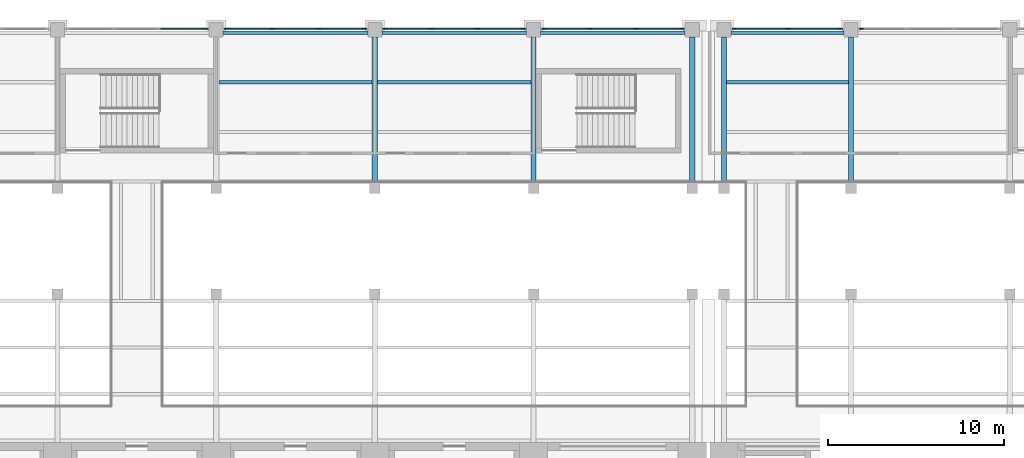
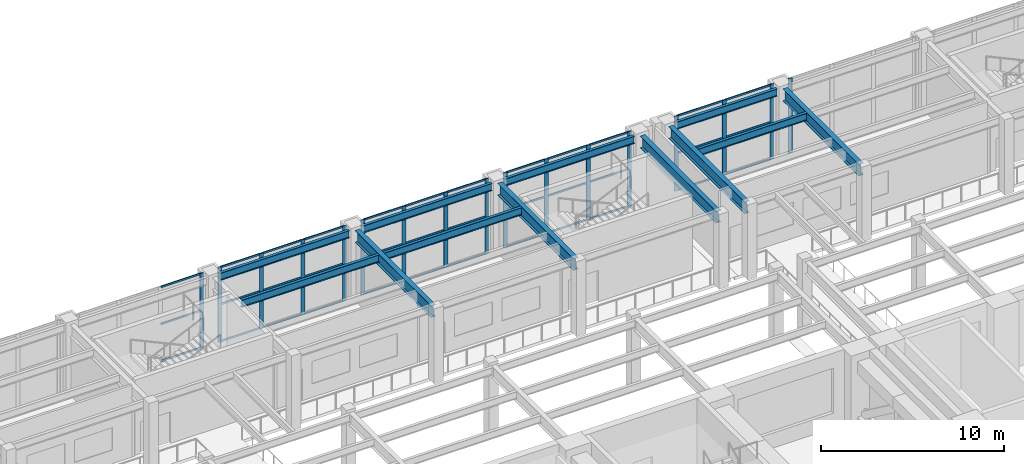
# One storey, part 24 of 76: 53 members, 12 beams, 6 elements without a shape of their own.
"""IFC4 building model written with IfcOpenShell, lengths in metres."""

from ifc_helpers import new_model, si_unit, direction, frame, origin, origin_2d, place, context, subcontext, project, spatial, rectangle, i_section, extrude, material, material_profile, profile_set, type_object, element, aggregate, save


model = new_model("IFC4")

# Units and contexts
model_context = context("Model", 3, precision=1e-05, world=origin(), true_north=direction((0.0, 1.0)))
body_context = subcontext(model_context, "Body", "Model", "MODEL_VIEW")
ifc_project = project(units=[si_unit("LENGTHUNIT", "METRE"), si_unit("AREAUNIT", "SQUARE_METRE"), si_unit("VOLUMEUNIT", "CUBIC_METRE"), si_unit("PLANEANGLEUNIT", "RADIAN"), si_unit("MASSUNIT", "GRAM", prefix="KILO")], contexts=[model_context])

# Site, building, storey
site_placement = place(None, origin())
site = spatial("IfcSite", under=ifc_project, at=site_placement, CompositionType="ELEMENT")
building_placement = place(site_placement, origin())
building = spatial("IfcBuilding", under=site, at=building_placement, Name="Aravalli Gate Trade Fair Centre", CompositionType="ELEMENT")
storey_placement = place(building_placement, frame((0.0, 0.0, 10.0)))
storey = spatial("IfcBuildingStorey", under=building, at=storey_placement, Name="L02", CompositionType="ELEMENT", Elevation=10.0)

# Curtain wall, member
ifc_material_1 = material(Name="Aluminium and glass", Category="aluminium")
curtain_wall_type = type_object("IfcCurtainWallType", Name="Curtain wall 3000 module, tall", PredefinedType="NOTDEFINED", material=ifc_material_1)
curtain_wall_1_placement = place(storey_placement, origin())
curtain_wall_1 = element("IfcCurtainWall", 1, at=curtain_wall_1_placement, inside=storey, type_object=curtain_wall_type, Name="Curtain wall north bay 8 L02", PredefinedType="NOTDEFINED")
ifc_material_2 = material(Name="Aluminium", Category="aluminium")
ifc_material_profile_1 = material_profile(ifc_material_2, rectangle(XDim=0.06005859375, YDim=0.25, at=origin_2d()), Name="Concourse curtain wall mullion 60 x 250")
ifc_profile_set_1 = profile_set([ifc_material_profile_1], Name="Aluminium")
member_type_1 = type_object("IfcMemberType", Name="Concourse curtain wall mullion 60 x 250", PredefinedType="MULLION", material=ifc_profile_set_1)
member_1_placement = place(storey_placement, frame((77.419921875, 133.044921875, 0.0), z_axis=(0.0, 0.0, 1.0), x_axis=(0.0, 1.0, 0.0)))
member_1 = element("IfcMember", 2, at=member_1_placement, type_object=member_type_1, Name="CW3 mullion 4", PredefinedType="MULLION", context=body_context, shape_type="SweptSolid", body=[
    extrude(rectangle(XDim=0.06005859375, YDim=0.25, at=origin_2d()), origin(), (0.0, 0.0, 1.0), 5.0),
])

# Curtain wall, members
curtain_wall_2_placement = place(storey_placement, origin())
curtain_wall_2 = element("IfcCurtainWall", 3, at=curtain_wall_2_placement, inside=storey, type_object=curtain_wall_type, Name="Curtain wall north bay 9 L02", PredefinedType="NOTDEFINED")
member_2_placement = place(storey_placement, frame((78.580078125, 133.044921875, 0.0), z_axis=(0.0, 0.0, 1.0), x_axis=(0.0, 1.0, 0.0)))
member_2 = element("IfcMember", 4, at=member_2_placement, type_object=member_type_1, Name="CW3 mullion 1", PredefinedType="MULLION", context=body_context, shape_type="SweptSolid", body=[
    extrude(rectangle(XDim=0.06005859375, YDim=0.25, at=origin_2d()), origin(), (0.0, 0.0, 1.0), 5.0),
])
member_3_placement = place(storey_placement, frame((81.183349609375, 133.044921875, 0.0), z_axis=(0.0, 0.0, 1.0), x_axis=(0.0, 1.0, 0.0)))
member_3 = element("IfcMember", 5, at=member_3_placement, type_object=member_type_1, Name="CW3 mullion 2", PredefinedType="MULLION", context=body_context, shape_type="SweptSolid", body=[
    extrude(rectangle(XDim=0.06005859375, YDim=0.25, at=origin_2d()), origin(), (0.0, 0.0, 1.0), 5.0),
])
member_4_placement = place(storey_placement, frame((83.816650390625, 133.044921875, 0.0), z_axis=(0.0, 0.0, 1.0), x_axis=(0.0, 1.0, 0.0)))
member_4 = element("IfcMember", 6, at=member_4_placement, type_object=member_type_1, Name="CW3 mullion 3", PredefinedType="MULLION", context=body_context, shape_type="SweptSolid", body=[
    extrude(rectangle(XDim=0.06005859375, YDim=0.25, at=origin_2d()), origin(), (0.0, 0.0, 1.0), 5.0),
])
member_5_placement = place(storey_placement, frame((86.419921875, 133.044921875, 0.0), z_axis=(0.0, 0.0, 1.0), x_axis=(0.0, 1.0, 0.0)))
member_5 = element("IfcMember", 7, at=member_5_placement, type_object=member_type_1, Name="CW3 mullion 4", PredefinedType="MULLION", context=body_context, shape_type="SweptSolid", body=[
    extrude(rectangle(XDim=0.06005859375, YDim=0.25, at=origin_2d()), origin(), (0.0, 0.0, 1.0), 5.0),
])

curtain_wall_3_placement = place(storey_placement, origin())
curtain_wall_3 = element("IfcCurtainWall", 8, at=curtain_wall_3_placement, inside=storey, type_object=curtain_wall_type, Name="Curtain wall north bay 10 L02", PredefinedType="NOTDEFINED")
member_6_placement = place(storey_placement, frame((87.580078125, 133.044921875, 0.0), z_axis=(0.0, 0.0, 1.0), x_axis=(0.0, 1.0, 0.0)))
member_6 = element("IfcMember", 9, at=member_6_placement, type_object=member_type_1, Name="CW3 mullion 1", PredefinedType="MULLION", context=body_context, shape_type="SweptSolid", body=[
    extrude(rectangle(XDim=0.06005859375, YDim=0.25, at=origin_2d()), origin(), (0.0, 0.0, 1.0), 5.0),
])
member_7_placement = place(storey_placement, frame((90.183349609375, 133.044921875, 0.0), z_axis=(0.0, 0.0, 1.0), x_axis=(0.0, 1.0, 0.0)))
member_7 = element("IfcMember", 10, at=member_7_placement, type_object=member_type_1, Name="CW3 mullion 2", PredefinedType="MULLION", context=body_context, shape_type="SweptSolid", body=[
    extrude(rectangle(XDim=0.06005859375, YDim=0.25, at=origin_2d()), origin(), (0.0, 0.0, 1.0), 5.0),
])
member_8_placement = place(storey_placement, frame((92.816650390625, 133.044921875, 0.0), z_axis=(0.0, 0.0, 1.0), x_axis=(0.0, 1.0, 0.0)))
member_8 = element("IfcMember", 11, at=member_8_placement, type_object=member_type_1, Name="CW3 mullion 3", PredefinedType="MULLION", context=body_context, shape_type="SweptSolid", body=[
    extrude(rectangle(XDim=0.06005859375, YDim=0.25, at=origin_2d()), origin(), (0.0, 0.0, 1.0), 5.0),
])
member_9_placement = place(storey_placement, frame((95.419921875, 133.044921875, 0.0), z_axis=(0.0, 0.0, 1.0), x_axis=(0.0, 1.0, 0.0)))
member_9 = element("IfcMember", 12, at=member_9_placement, type_object=member_type_1, Name="CW3 mullion 4", PredefinedType="MULLION", context=body_context, shape_type="SweptSolid", body=[
    extrude(rectangle(XDim=0.06005859375, YDim=0.25, at=origin_2d()), origin(), (0.0, 0.0, 1.0), 5.0),
])

curtain_wall_4_placement = place(storey_placement, origin())
curtain_wall_4 = element("IfcCurtainWall", 13, at=curtain_wall_4_placement, inside=storey, type_object=curtain_wall_type, Name="Curtain wall north bay 11 L02", PredefinedType="NOTDEFINED")
member_10_placement = place(storey_placement, frame((96.580078125, 133.044921875, 0.0), z_axis=(0.0, 0.0, 1.0), x_axis=(0.0, 1.0, 0.0)))
member_10 = element("IfcMember", 14, at=member_10_placement, type_object=member_type_1, Name="CW3 mullion 1", PredefinedType="MULLION", context=body_context, shape_type="SweptSolid", body=[
    extrude(rectangle(XDim=0.06005859375, YDim=0.25, at=origin_2d()), origin(), (0.0, 0.0, 1.0), 5.0),
])
member_11_placement = place(storey_placement, frame((99.183349609375, 133.044921875, 0.0), z_axis=(0.0, 0.0, 1.0), x_axis=(0.0, 1.0, 0.0)))
member_11 = element("IfcMember", 15, at=member_11_placement, type_object=member_type_1, Name="CW3 mullion 2", PredefinedType="MULLION", context=body_context, shape_type="SweptSolid", body=[
    extrude(rectangle(XDim=0.06005859375, YDim=0.25, at=origin_2d()), origin(), (0.0, 0.0, 1.0), 5.0),
])
member_12_placement = place(storey_placement, frame((101.816650390625, 133.044921875, 0.0), z_axis=(0.0, 0.0, 1.0), x_axis=(0.0, 1.0, 0.0)))
member_12 = element("IfcMember", 16, at=member_12_placement, type_object=member_type_1, Name="CW3 mullion 3", PredefinedType="MULLION", context=body_context, shape_type="SweptSolid", body=[
    extrude(rectangle(XDim=0.06005859375, YDim=0.25, at=origin_2d()), origin(), (0.0, 0.0, 1.0), 5.0),
])
member_13_placement = place(storey_placement, frame((104.419921875, 133.044921875, 0.0), z_axis=(0.0, 0.0, 1.0), x_axis=(0.0, 1.0, 0.0)))
member_13 = element("IfcMember", 17, at=member_13_placement, type_object=member_type_1, Name="CW3 mullion 4", PredefinedType="MULLION", context=body_context, shape_type="SweptSolid", body=[
    extrude(rectangle(XDim=0.06005859375, YDim=0.25, at=origin_2d()), origin(), (0.0, 0.0, 1.0), 5.0),
])

curtain_wall_5_placement = place(storey_placement, origin())
curtain_wall_5 = element("IfcCurtainWall", 18, at=curtain_wall_5_placement, inside=storey, type_object=curtain_wall_type, Name="Curtain wall north bay 13 L02", PredefinedType="NOTDEFINED")
member_14_placement = place(storey_placement, frame((107.3798828125, 133.044921875, 0.0), z_axis=(0.0, 0.0, 1.0), x_axis=(0.0, 1.0, 0.0)))
member_14 = element("IfcMember", 19, at=member_14_placement, type_object=member_type_1, Name="CW3 mullion 1", PredefinedType="MULLION", context=body_context, shape_type="SweptSolid", body=[
    extrude(rectangle(XDim=0.06005859375, YDim=0.25, at=origin_2d()), origin(), (0.0, 0.0, 1.0), 5.0),
])
member_15_placement = place(storey_placement, frame((110.39990234375, 133.044921875, 0.0), z_axis=(0.0, 0.0, 1.0), x_axis=(0.0, 1.0, 0.0)))
member_15 = element("IfcMember", 20, at=member_15_placement, type_object=member_type_1, Name="CW3 mullion 2", PredefinedType="MULLION", context=body_context, shape_type="SweptSolid", body=[
    extrude(rectangle(XDim=0.06005859375, YDim=0.25, at=origin_2d()), origin(), (0.0, 0.0, 1.0), 5.0),
])
member_16_placement = place(storey_placement, frame((113.419921875, 133.044921875, 0.0), z_axis=(0.0, 0.0, 1.0), x_axis=(0.0, 1.0, 0.0)))
member_16 = element("IfcMember", 21, at=member_16_placement, type_object=member_type_1, Name="CW3 mullion 3", PredefinedType="MULLION", context=body_context, shape_type="SweptSolid", body=[
    extrude(rectangle(XDim=0.06005859375, YDim=0.25, at=origin_2d()), origin(), (0.0, 0.0, 1.0), 5.0),
])

# Curtain wall, member
curtain_wall_6_placement = place(storey_placement, origin())
curtain_wall_6 = element("IfcCurtainWall", 22, at=curtain_wall_6_placement, inside=storey, type_object=curtain_wall_type, Name="Curtain wall north bay 14 L02", PredefinedType="NOTDEFINED")
member_17_placement = place(storey_placement, frame((114.580078125, 133.044921875, 0.0), z_axis=(0.0, 0.0, 1.0), x_axis=(0.0, 1.0, 0.0)))
member_17 = element("IfcMember", 23, at=member_17_placement, type_object=member_type_1, Name="CW3 mullion 1", PredefinedType="MULLION", context=body_context, shape_type="SweptSolid", body=[
    extrude(rectangle(XDim=0.06005859375, YDim=0.25, at=origin_2d()), origin(), (0.0, 0.0, 1.0), 5.0),
])
aggregate(curtain_wall_6, [member_17])

# Member
ifc_material_profile_2 = material_profile(ifc_material_2, rectangle(XDim=0.06005859375, YDim=0.1201171875, at=origin_2d()), Name="Concourse curtain wall transom 60 x 120")
ifc_profile_set_2 = profile_set([ifc_material_profile_2], Name="Aluminium")
member_type_2 = type_object("IfcMemberType", Name="Concourse curtain wall transom 60 x 120", PredefinedType="USERDEFINED", material=ifc_profile_set_2)
member_18_placement = place(storey_placement, frame((74.8466796875, 133.044921875, 0.030029296875), z_axis=(1.0, 0.0, 0.0), x_axis=(0.0, 1.0, 0.0)))
member_18 = element("IfcMember", 24, at=member_18_placement, type_object=member_type_2, Name="CW3 transom 3.1", ObjectType="TRANSOM", PredefinedType="USERDEFINED", context=body_context, shape_type="SweptSolid", body=[
    extrude(rectangle(XDim=0.06005859375, YDim=0.1201171875, at=origin_2d()), origin(), (0.0, 0.0, 1.0), 2.543212890625),
])

member_19_placement = place(storey_placement, frame((74.8466796875, 133.044921875, 2.5), z_axis=(1.0, 0.0, 0.0), x_axis=(0.0, 1.0, 0.0)))
member_19 = element("IfcMember", 25, at=member_19_placement, type_object=member_type_2, Name="CW3 transom 3.2", ObjectType="TRANSOM", PredefinedType="USERDEFINED", context=body_context, shape_type="SweptSolid", body=[
    extrude(rectangle(XDim=0.06005859375, YDim=0.1201171875, at=origin_2d()), origin(), (0.0, 0.0, 1.0), 2.543212890625),
])

member_20_placement = place(storey_placement, frame((74.8466796875, 133.044921875, 4.969970703125), z_axis=(1.0, 0.0, 0.0), x_axis=(0.0, 1.0, 0.0)))
member_20 = element("IfcMember", 26, at=member_20_placement, type_object=member_type_2, Name="CW3 transom 3.3", ObjectType="TRANSOM", PredefinedType="USERDEFINED", context=body_context, shape_type="SweptSolid", body=[
    extrude(rectangle(XDim=0.06005859375, YDim=0.1201171875, at=origin_2d()), origin(), (0.0, 0.0, 1.0), 2.543212890625),
])

aggregate(curtain_wall_1, [member_1, member_18, member_19, member_20])

member_21_placement = place(storey_placement, frame((78.610107421875, 133.044921875, 0.030029296875), z_axis=(1.0, 0.0, 0.0), x_axis=(0.0, 1.0, 0.0)))
member_21 = element("IfcMember", 27, at=member_21_placement, type_object=member_type_2, Name="CW3 transom 1.1", ObjectType="TRANSOM", PredefinedType="USERDEFINED", context=body_context, shape_type="SweptSolid", body=[
    extrude(rectangle(XDim=0.06005859375, YDim=0.1201171875, at=origin_2d()), origin(), (0.0, 0.0, 1.0), 2.543212890625),
])

member_22_placement = place(storey_placement, frame((78.610107421875, 133.044921875, 2.5), z_axis=(1.0, 0.0, 0.0), x_axis=(0.0, 1.0, 0.0)))
member_22 = element("IfcMember", 28, at=member_22_placement, type_object=member_type_2, Name="CW3 transom 1.2", ObjectType="TRANSOM", PredefinedType="USERDEFINED", context=body_context, shape_type="SweptSolid", body=[
    extrude(rectangle(XDim=0.06005859375, YDim=0.1201171875, at=origin_2d()), origin(), (0.0, 0.0, 1.0), 2.543212890625),
])

member_23_placement = place(storey_placement, frame((78.610107421875, 133.044921875, 4.969970703125), z_axis=(1.0, 0.0, 0.0), x_axis=(0.0, 1.0, 0.0)))
member_23 = element("IfcMember", 29, at=member_23_placement, type_object=member_type_2, Name="CW3 transom 1.3", ObjectType="TRANSOM", PredefinedType="USERDEFINED", context=body_context, shape_type="SweptSolid", body=[
    extrude(rectangle(XDim=0.06005859375, YDim=0.1201171875, at=origin_2d()), origin(), (0.0, 0.0, 1.0), 2.543212890625),
])

member_24_placement = place(storey_placement, frame((81.21337890625, 133.044921875, 0.030029296875), z_axis=(1.0, 0.0, 0.0), x_axis=(0.0, 1.0, 0.0)))
member_24 = element("IfcMember", 30, at=member_24_placement, type_object=member_type_2, Name="CW3 transom 2.1", ObjectType="TRANSOM", PredefinedType="USERDEFINED", context=body_context, shape_type="SweptSolid", body=[
    extrude(rectangle(XDim=0.06005859375, YDim=0.1201171875, at=origin_2d()), origin(), (0.0, 0.0, 1.0), 2.5732421875),
])

member_25_placement = place(storey_placement, frame((81.21337890625, 133.044921875, 2.5), z_axis=(1.0, 0.0, 0.0), x_axis=(0.0, 1.0, 0.0)))
member_25 = element("IfcMember", 31, at=member_25_placement, type_object=member_type_2, Name="CW3 transom 2.2", ObjectType="TRANSOM", PredefinedType="USERDEFINED", context=body_context, shape_type="SweptSolid", body=[
    extrude(rectangle(XDim=0.06005859375, YDim=0.1201171875, at=origin_2d()), origin(), (0.0, 0.0, 1.0), 2.5732421875),
])

member_26_placement = place(storey_placement, frame((81.21337890625, 133.044921875, 4.969970703125), z_axis=(1.0, 0.0, 0.0), x_axis=(0.0, 1.0, 0.0)))
member_26 = element("IfcMember", 32, at=member_26_placement, type_object=member_type_2, Name="CW3 transom 2.3", ObjectType="TRANSOM", PredefinedType="USERDEFINED", context=body_context, shape_type="SweptSolid", body=[
    extrude(rectangle(XDim=0.06005859375, YDim=0.1201171875, at=origin_2d()), origin(), (0.0, 0.0, 1.0), 2.5732421875),
])

member_27_placement = place(storey_placement, frame((83.8466796875, 133.044921875, 0.030029296875), z_axis=(1.0, 0.0, 0.0), x_axis=(0.0, 1.0, 0.0)))
member_27 = element("IfcMember", 33, at=member_27_placement, type_object=member_type_2, Name="CW3 transom 3.1", ObjectType="TRANSOM", PredefinedType="USERDEFINED", context=body_context, shape_type="SweptSolid", body=[
    extrude(rectangle(XDim=0.06005859375, YDim=0.1201171875, at=origin_2d()), origin(), (0.0, 0.0, 1.0), 2.543212890625),
])

member_28_placement = place(storey_placement, frame((83.8466796875, 133.044921875, 2.5), z_axis=(1.0, 0.0, 0.0), x_axis=(0.0, 1.0, 0.0)))
member_28 = element("IfcMember", 34, at=member_28_placement, type_object=member_type_2, Name="CW3 transom 3.2", ObjectType="TRANSOM", PredefinedType="USERDEFINED", context=body_context, shape_type="SweptSolid", body=[
    extrude(rectangle(XDim=0.06005859375, YDim=0.1201171875, at=origin_2d()), origin(), (0.0, 0.0, 1.0), 2.543212890625),
])

member_29_placement = place(storey_placement, frame((83.8466796875, 133.044921875, 4.969970703125), z_axis=(1.0, 0.0, 0.0), x_axis=(0.0, 1.0, 0.0)))
member_29 = element("IfcMember", 35, at=member_29_placement, type_object=member_type_2, Name="CW3 transom 3.3", ObjectType="TRANSOM", PredefinedType="USERDEFINED", context=body_context, shape_type="SweptSolid", body=[
    extrude(rectangle(XDim=0.06005859375, YDim=0.1201171875, at=origin_2d()), origin(), (0.0, 0.0, 1.0), 2.543212890625),
])

aggregate(curtain_wall_2, [member_2, member_3, member_4, member_5, member_21, member_22, member_23, member_24, member_25, member_26, member_27, member_28, member_29])

member_30_placement = place(storey_placement, frame((87.610107421875, 133.044921875, 0.030029296875), z_axis=(1.0, 0.0, 0.0), x_axis=(0.0, 1.0, 0.0)))
member_30 = element("IfcMember", 36, at=member_30_placement, type_object=member_type_2, Name="CW3 transom 1.1", ObjectType="TRANSOM", PredefinedType="USERDEFINED", context=body_context, shape_type="SweptSolid", body=[
    extrude(rectangle(XDim=0.06005859375, YDim=0.1201171875, at=origin_2d()), origin(), (0.0, 0.0, 1.0), 2.543212890625),
])

member_31_placement = place(storey_placement, frame((87.610107421875, 133.044921875, 2.5), z_axis=(1.0, 0.0, 0.0), x_axis=(0.0, 1.0, 0.0)))
member_31 = element("IfcMember", 37, at=member_31_placement, type_object=member_type_2, Name="CW3 transom 1.2", ObjectType="TRANSOM", PredefinedType="USERDEFINED", context=body_context, shape_type="SweptSolid", body=[
    extrude(rectangle(XDim=0.06005859375, YDim=0.1201171875, at=origin_2d()), origin(), (0.0, 0.0, 1.0), 2.543212890625),
])

member_32_placement = place(storey_placement, frame((87.610107421875, 133.044921875, 4.969970703125), z_axis=(1.0, 0.0, 0.0), x_axis=(0.0, 1.0, 0.0)))
member_32 = element("IfcMember", 38, at=member_32_placement, type_object=member_type_2, Name="CW3 transom 1.3", ObjectType="TRANSOM", PredefinedType="USERDEFINED", context=body_context, shape_type="SweptSolid", body=[
    extrude(rectangle(XDim=0.06005859375, YDim=0.1201171875, at=origin_2d()), origin(), (0.0, 0.0, 1.0), 2.543212890625),
])

member_33_placement = place(storey_placement, frame((90.21337890625, 133.044921875, 0.030029296875), z_axis=(1.0, 0.0, 0.0), x_axis=(0.0, 1.0, 0.0)))
member_33 = element("IfcMember", 39, at=member_33_placement, type_object=member_type_2, Name="CW3 transom 2.1", ObjectType="TRANSOM", PredefinedType="USERDEFINED", context=body_context, shape_type="SweptSolid", body=[
    extrude(rectangle(XDim=0.06005859375, YDim=0.1201171875, at=origin_2d()), origin(), (0.0, 0.0, 1.0), 2.5732421875),
])

member_34_placement = place(storey_placement, frame((90.21337890625, 133.044921875, 2.5), z_axis=(1.0, 0.0, 0.0), x_axis=(0.0, 1.0, 0.0)))
member_34 = element("IfcMember", 40, at=member_34_placement, type_object=member_type_2, Name="CW3 transom 2.2", ObjectType="TRANSOM", PredefinedType="USERDEFINED", context=body_context, shape_type="SweptSolid", body=[
    extrude(rectangle(XDim=0.06005859375, YDim=0.1201171875, at=origin_2d()), origin(), (0.0, 0.0, 1.0), 2.5732421875),
])

member_35_placement = place(storey_placement, frame((90.21337890625, 133.044921875, 4.969970703125), z_axis=(1.0, 0.0, 0.0), x_axis=(0.0, 1.0, 0.0)))
member_35 = element("IfcMember", 41, at=member_35_placement, type_object=member_type_2, Name="CW3 transom 2.3", ObjectType="TRANSOM", PredefinedType="USERDEFINED", context=body_context, shape_type="SweptSolid", body=[
    extrude(rectangle(XDim=0.06005859375, YDim=0.1201171875, at=origin_2d()), origin(), (0.0, 0.0, 1.0), 2.5732421875),
])

member_36_placement = place(storey_placement, frame((92.8466796875, 133.044921875, 0.030029296875), z_axis=(1.0, 0.0, 0.0), x_axis=(0.0, 1.0, 0.0)))
member_36 = element("IfcMember", 42, at=member_36_placement, type_object=member_type_2, Name="CW3 transom 3.1", ObjectType="TRANSOM", PredefinedType="USERDEFINED", context=body_context, shape_type="SweptSolid", body=[
    extrude(rectangle(XDim=0.06005859375, YDim=0.1201171875, at=origin_2d()), origin(), (0.0, 0.0, 1.0), 2.543212890625),
])

member_37_placement = place(storey_placement, frame((92.8466796875, 133.044921875, 2.5), z_axis=(1.0, 0.0, 0.0), x_axis=(0.0, 1.0, 0.0)))
member_37 = element("IfcMember", 43, at=member_37_placement, type_object=member_type_2, Name="CW3 transom 3.2", ObjectType="TRANSOM", PredefinedType="USERDEFINED", context=body_context, shape_type="SweptSolid", body=[
    extrude(rectangle(XDim=0.06005859375, YDim=0.1201171875, at=origin_2d()), origin(), (0.0, 0.0, 1.0), 2.543212890625),
])

member_38_placement = place(storey_placement, frame((92.8466796875, 133.044921875, 4.969970703125), z_axis=(1.0, 0.0, 0.0), x_axis=(0.0, 1.0, 0.0)))
member_38 = element("IfcMember", 44, at=member_38_placement, type_object=member_type_2, Name="CW3 transom 3.3", ObjectType="TRANSOM", PredefinedType="USERDEFINED", context=body_context, shape_type="SweptSolid", body=[
    extrude(rectangle(XDim=0.06005859375, YDim=0.1201171875, at=origin_2d()), origin(), (0.0, 0.0, 1.0), 2.543212890625),
])

aggregate(curtain_wall_3, [member_6, member_7, member_8, member_9, member_30, member_31, member_32, member_33, member_34, member_35, member_36, member_37, member_38])

member_39_placement = place(storey_placement, frame((96.610107421875, 133.044921875, 0.030029296875), z_axis=(1.0, 0.0, 0.0), x_axis=(0.0, 1.0, 0.0)))
member_39 = element("IfcMember", 45, at=member_39_placement, type_object=member_type_2, Name="CW3 transom 1.1", ObjectType="TRANSOM", PredefinedType="USERDEFINED", context=body_context, shape_type="SweptSolid", body=[
    extrude(rectangle(XDim=0.06005859375, YDim=0.1201171875, at=origin_2d()), origin(), (0.0, 0.0, 1.0), 2.543212890625),
])

member_40_placement = place(storey_placement, frame((96.610107421875, 133.044921875, 2.5), z_axis=(1.0, 0.0, 0.0), x_axis=(0.0, 1.0, 0.0)))
member_40 = element("IfcMember", 46, at=member_40_placement, type_object=member_type_2, Name="CW3 transom 1.2", ObjectType="TRANSOM", PredefinedType="USERDEFINED", context=body_context, shape_type="SweptSolid", body=[
    extrude(rectangle(XDim=0.06005859375, YDim=0.1201171875, at=origin_2d()), origin(), (0.0, 0.0, 1.0), 2.543212890625),
])

member_41_placement = place(storey_placement, frame((96.610107421875, 133.044921875, 4.969970703125), z_axis=(1.0, 0.0, 0.0), x_axis=(0.0, 1.0, 0.0)))
member_41 = element("IfcMember", 47, at=member_41_placement, type_object=member_type_2, Name="CW3 transom 1.3", ObjectType="TRANSOM", PredefinedType="USERDEFINED", context=body_context, shape_type="SweptSolid", body=[
    extrude(rectangle(XDim=0.06005859375, YDim=0.1201171875, at=origin_2d()), origin(), (0.0, 0.0, 1.0), 2.543212890625),
])

member_42_placement = place(storey_placement, frame((99.21337890625, 133.044921875, 0.030029296875), z_axis=(1.0, 0.0, 0.0), x_axis=(0.0, 1.0, 0.0)))
member_42 = element("IfcMember", 48, at=member_42_placement, type_object=member_type_2, Name="CW3 transom 2.1", ObjectType="TRANSOM", PredefinedType="USERDEFINED", context=body_context, shape_type="SweptSolid", body=[
    extrude(rectangle(XDim=0.06005859375, YDim=0.1201171875, at=origin_2d()), origin(), (0.0, 0.0, 1.0), 2.5732421875),
])

member_43_placement = place(storey_placement, frame((99.21337890625, 133.044921875, 2.5), z_axis=(1.0, 0.0, 0.0), x_axis=(0.0, 1.0, 0.0)))
member_43 = element("IfcMember", 49, at=member_43_placement, type_object=member_type_2, Name="CW3 transom 2.2", ObjectType="TRANSOM", PredefinedType="USERDEFINED", context=body_context, shape_type="SweptSolid", body=[
    extrude(rectangle(XDim=0.06005859375, YDim=0.1201171875, at=origin_2d()), origin(), (0.0, 0.0, 1.0), 2.5732421875),
])

member_44_placement = place(storey_placement, frame((99.21337890625, 133.044921875, 4.969970703125), z_axis=(1.0, 0.0, 0.0), x_axis=(0.0, 1.0, 0.0)))
member_44 = element("IfcMember", 50, at=member_44_placement, type_object=member_type_2, Name="CW3 transom 2.3", ObjectType="TRANSOM", PredefinedType="USERDEFINED", context=body_context, shape_type="SweptSolid", body=[
    extrude(rectangle(XDim=0.06005859375, YDim=0.1201171875, at=origin_2d()), origin(), (0.0, 0.0, 1.0), 2.5732421875),
])

member_45_placement = place(storey_placement, frame((101.8466796875, 133.044921875, 0.030029296875), z_axis=(1.0, 0.0, 0.0), x_axis=(0.0, 1.0, 0.0)))
member_45 = element("IfcMember", 51, at=member_45_placement, type_object=member_type_2, Name="CW3 transom 3.1", ObjectType="TRANSOM", PredefinedType="USERDEFINED", context=body_context, shape_type="SweptSolid", body=[
    extrude(rectangle(XDim=0.06005859375, YDim=0.1201171875, at=origin_2d()), origin(), (0.0, 0.0, 1.0), 2.543212890625),
])

member_46_placement = place(storey_placement, frame((101.8466796875, 133.044921875, 2.5), z_axis=(1.0, 0.0, 0.0), x_axis=(0.0, 1.0, 0.0)))
member_46 = element("IfcMember", 52, at=member_46_placement, type_object=member_type_2, Name="CW3 transom 3.2", ObjectType="TRANSOM", PredefinedType="USERDEFINED", context=body_context, shape_type="SweptSolid", body=[
    extrude(rectangle(XDim=0.06005859375, YDim=0.1201171875, at=origin_2d()), origin(), (0.0, 0.0, 1.0), 2.543212890625),
])

member_47_placement = place(storey_placement, frame((101.8466796875, 133.044921875, 4.969970703125), z_axis=(1.0, 0.0, 0.0), x_axis=(0.0, 1.0, 0.0)))
member_47 = element("IfcMember", 53, at=member_47_placement, type_object=member_type_2, Name="CW3 transom 3.3", ObjectType="TRANSOM", PredefinedType="USERDEFINED", context=body_context, shape_type="SweptSolid", body=[
    extrude(rectangle(XDim=0.06005859375, YDim=0.1201171875, at=origin_2d()), origin(), (0.0, 0.0, 1.0), 2.543212890625),
])

aggregate(curtain_wall_4, [member_10, member_11, member_12, member_13, member_39, member_40, member_41, member_42, member_43, member_44, member_45, member_46, member_47])

member_48_placement = place(storey_placement, frame((107.409912109375, 133.044921875, 0.030029296875), z_axis=(1.0, 0.0, 0.0), x_axis=(0.0, 1.0, 0.0)))
member_48 = element("IfcMember", 54, at=member_48_placement, type_object=member_type_2, Name="CW3 transom 1.1", ObjectType="TRANSOM", PredefinedType="USERDEFINED", context=body_context, shape_type="SweptSolid", body=[
    extrude(rectangle(XDim=0.06005859375, YDim=0.1201171875, at=origin_2d()), origin(), (0.0, 0.0, 1.0), 2.960205078125),
])

member_49_placement = place(storey_placement, frame((107.409912109375, 133.044921875, 2.5), z_axis=(1.0, 0.0, 0.0), x_axis=(0.0, 1.0, 0.0)))
member_49 = element("IfcMember", 55, at=member_49_placement, type_object=member_type_2, Name="CW3 transom 1.2", ObjectType="TRANSOM", PredefinedType="USERDEFINED", context=body_context, shape_type="SweptSolid", body=[
    extrude(rectangle(XDim=0.06005859375, YDim=0.1201171875, at=origin_2d()), origin(), (0.0, 0.0, 1.0), 2.960205078125),
])

member_50_placement = place(storey_placement, frame((107.409912109375, 133.044921875, 4.969970703125), z_axis=(1.0, 0.0, 0.0), x_axis=(0.0, 1.0, 0.0)))
member_50 = element("IfcMember", 56, at=member_50_placement, type_object=member_type_2, Name="CW3 transom 1.3", ObjectType="TRANSOM", PredefinedType="USERDEFINED", context=body_context, shape_type="SweptSolid", body=[
    extrude(rectangle(XDim=0.06005859375, YDim=0.1201171875, at=origin_2d()), origin(), (0.0, 0.0, 1.0), 2.960205078125),
])

member_51_placement = place(storey_placement, frame((110.429931640625, 133.044921875, 0.030029296875), z_axis=(1.0, 0.0, 0.0), x_axis=(0.0, 1.0, 0.0)))
member_51 = element("IfcMember", 57, at=member_51_placement, type_object=member_type_2, Name="CW3 transom 2.1", ObjectType="TRANSOM", PredefinedType="USERDEFINED", context=body_context, shape_type="SweptSolid", body=[
    extrude(rectangle(XDim=0.06005859375, YDim=0.1201171875, at=origin_2d()), origin(), (0.0, 0.0, 1.0), 2.9599609375),
])

member_52_placement = place(storey_placement, frame((110.429931640625, 133.044921875, 2.5), z_axis=(1.0, 0.0, 0.0), x_axis=(0.0, 1.0, 0.0)))
member_52 = element("IfcMember", 58, at=member_52_placement, type_object=member_type_2, Name="CW3 transom 2.2", ObjectType="TRANSOM", PredefinedType="USERDEFINED", context=body_context, shape_type="SweptSolid", body=[
    extrude(rectangle(XDim=0.06005859375, YDim=0.1201171875, at=origin_2d()), origin(), (0.0, 0.0, 1.0), 2.9599609375),
])

member_53_placement = place(storey_placement, frame((110.429931640625, 133.044921875, 4.969970703125), z_axis=(1.0, 0.0, 0.0), x_axis=(0.0, 1.0, 0.0)))
member_53 = element("IfcMember", 59, at=member_53_placement, type_object=member_type_2, Name="CW3 transom 2.3", ObjectType="TRANSOM", PredefinedType="USERDEFINED", context=body_context, shape_type="SweptSolid", body=[
    extrude(rectangle(XDim=0.06005859375, YDim=0.1201171875, at=origin_2d()), origin(), (0.0, 0.0, 1.0), 2.9599609375),
])

aggregate(curtain_wall_5, [member_14, member_15, member_16, member_48, member_49, member_50, member_51, member_52, member_53])

# Beams
ifc_material_3 = material(Name="Steel E350", Category="steel")
ifc_material_profile_3 = material_profile(ifc_material_3, i_section(OverallWidth=0.179931640625, OverallDepth=0.5, WebThickness=0.01025390625, FlangeThickness=0.01708984375, at=origin_2d()), Name="ISMB 500")
ifc_profile_set_3 = profile_set([ifc_material_profile_3], Name="Steel E350")
beam_type_1 = type_object("IfcBeamType", Name="ISMB 500 gallery secondary beam", PredefinedType="JOIST", material=ifc_profile_set_3)
beam_1_placement = place(storey_placement, frame((78.14990234375, 130.0166015625, 4.550048828125), z_axis=(1.0, 0.0, 0.0), x_axis=(0.0, 1.0, 0.0)))
element("IfcBeam", 60, at=beam_1_placement, inside=storey, type_object=beam_type_1, Name="Gallery beam N6 09-10 L03", PredefinedType="JOIST", context=body_context, shape_type="SweptSolid", body=[
    extrude(i_section(OverallWidth=0.179931640625, OverallDepth=0.5, WebThickness=0.01025390625, FlangeThickness=0.01708984375, at=origin_2d()), origin(), (0.0, 0.0, 1.0), 8.7001953125),
])
beam_2_placement = place(storey_placement, frame((78.39990234375, 132.830078125, 4.550048828125), z_axis=(1.0, 0.0, 0.0), x_axis=(0.0, 1.0, 0.0)))
element("IfcBeam", 61, at=beam_2_placement, inside=storey, type_object=beam_type_1, Name="Gallery beam N7 09-10 L03", PredefinedType="JOIST", context=body_context, shape_type="SweptSolid", body=[
    extrude(i_section(OverallWidth=0.179931640625, OverallDepth=0.5, WebThickness=0.01025390625, FlangeThickness=0.01708984375, at=origin_2d()), origin(), (0.0, 0.0, 1.0), 8.2001953125),
])
beam_3_placement = place(storey_placement, frame((87.14990234375, 130.0166015625, 4.550048828125), z_axis=(1.0, 0.0, 0.0), x_axis=(0.0, 1.0, 0.0)))
element("IfcBeam", 62, at=beam_3_placement, inside=storey, type_object=beam_type_1, Name="Gallery beam N6 10-11 L03", PredefinedType="JOIST", context=body_context, shape_type="SweptSolid", body=[
    extrude(i_section(OverallWidth=0.179931640625, OverallDepth=0.5, WebThickness=0.01025390625, FlangeThickness=0.01708984375, at=origin_2d()), origin(), (0.0, 0.0, 1.0), 8.7001953125),
])
for number, where, z_axis, x_axis, name in (
    (63, (87.39990234375, 132.830078125, 4.550048828125), (1.0, 0.0, 0.0), (0.0, 1.0, 0.0), "Gallery beam N7 10-11 L03"),
    (64, (96.39990234375, 132.830078125, 4.550048828125), (1.0, 0.0, 0.0), (0.0, 1.0, 0.0), "Gallery beam N7 11-12 L03"),
):
    element("IfcBeam", number, at=place(storey_placement, frame(where, z_axis=z_axis, x_axis=x_axis)), inside=storey, type_object=beam_type_1, Name=name, PredefinedType="JOIST", context=body_context, shape_type="SweptSolid", body=[
        extrude(i_section(OverallWidth=0.179931640625, OverallDepth=0.5, WebThickness=0.01025390625, FlangeThickness=0.01708984375, at=origin_2d()), origin(), (0.0, 0.0, 1.0), 8.2001953125),
    ])
beam_4_placement = place(storey_placement, frame((106.949951171875, 130.0166015625, 4.550048828125), z_axis=(1.0, 0.0, 0.0), x_axis=(0.0, 1.0, 0.0)))
element("IfcBeam", 65, at=beam_4_placement, inside=storey, type_object=beam_type_1, Name="Gallery beam N6 12A-13 L03", PredefinedType="JOIST", context=body_context, shape_type="SweptSolid", body=[
    extrude(i_section(OverallWidth=0.179931640625, OverallDepth=0.5, WebThickness=0.01025390625, FlangeThickness=0.01708984375, at=origin_2d()), origin(), (0.0, 0.0, 1.0), 6.900146484375),
])
beam_5_placement = place(storey_placement, frame((107.199951171875, 132.830078125, 4.550048828125), z_axis=(1.0, 0.0, 0.0), x_axis=(0.0, 1.0, 0.0)))
element("IfcBeam", 66, at=beam_5_placement, inside=storey, type_object=beam_type_1, Name="Gallery beam N7 12A-13 L03", PredefinedType="JOIST", context=body_context, shape_type="SweptSolid", body=[
    extrude(i_section(OverallWidth=0.179931640625, OverallDepth=0.5, WebThickness=0.01025390625, FlangeThickness=0.01708984375, at=origin_2d()), origin(), (0.0, 0.0, 1.0), 6.400146484375),
])
ifc_material_profile_4 = material_profile(ifc_material_3, i_section(OverallWidth=0.300048828125, OverallDepth=0.800048828125, WebThickness=0.011962890625, FlangeThickness=0.02490234375, at=origin_2d()), Name="PG 800x300x12x25")
ifc_profile_set_4 = profile_set([ifc_material_profile_4], Name="Steel E350")
beam_type_2 = type_object("IfcBeamType", Name="PG 800x300x12x25 gallery plate girder", PredefinedType="BEAM", material=ifc_profile_set_4)
for number, where, z_axis, x_axis, name in (
    (67, (87.0, 124.300048828125, 4.39990234375), (0.0, 1.0, 0.0), (-1.0, 0.0, 0.0), "Gallery girder N10 L03"),
    (68, (96.0, 124.300048828125, 4.39990234375), (0.0, 1.0, 0.0), (-1.0, 0.0, 0.0), "Gallery girder N11 L03"),
    (69, (105.0, 124.300048828125, 4.39990234375), (0.0, 1.0, 0.0), (-1.0, 0.0, 0.0), "Gallery girder N12 L03"),
    (70, (106.800048828125, 124.300048828125, 4.39990234375), (0.0, 1.0, 0.0), (-1.0, 0.0, 0.0), "Gallery girder N12A L03"),
    (71, (114.0, 124.300048828125, 4.39990234375), (0.0, 1.0, 0.0), (-1.0, 0.0, 0.0), "Gallery girder N13 L03"),
):
    element("IfcBeam", number, at=place(storey_placement, frame(where, z_axis=z_axis, x_axis=x_axis)), inside=storey, type_object=beam_type_2, Name=name, PredefinedType="BEAM", context=body_context, shape_type="SweptSolid", body=[
        extrude(i_section(OverallWidth=0.300048828125, OverallDepth=0.800048828125, WebThickness=0.011962890625, FlangeThickness=0.02490234375, at=origin_2d()), origin(), (0.0, 0.0, 1.0), 8.300048828125),
    ])

save(model, "model.ifc")
